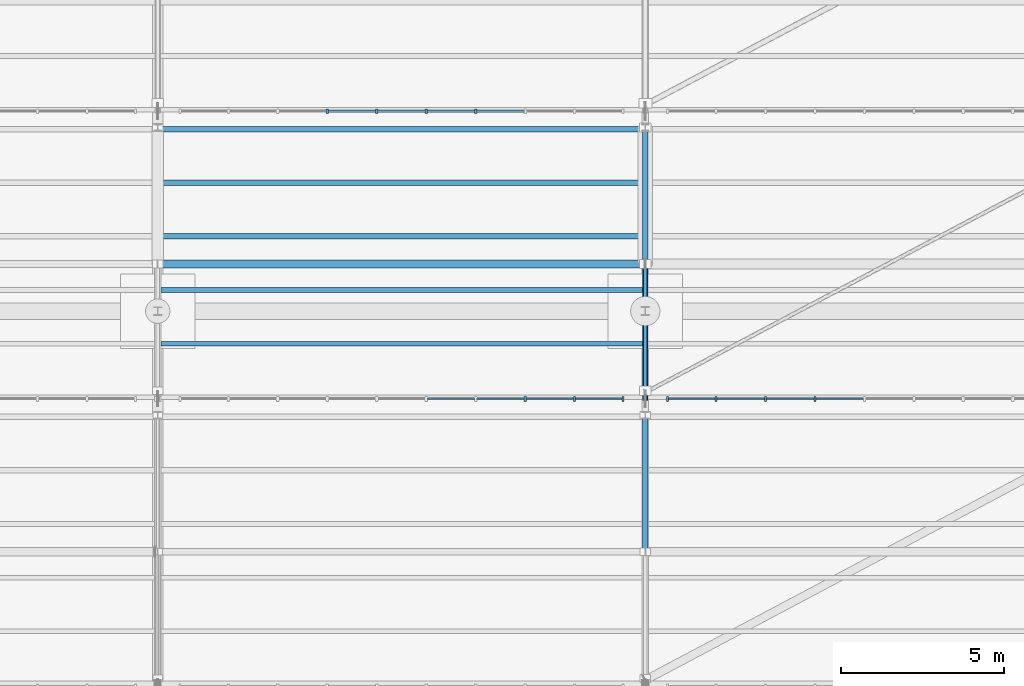
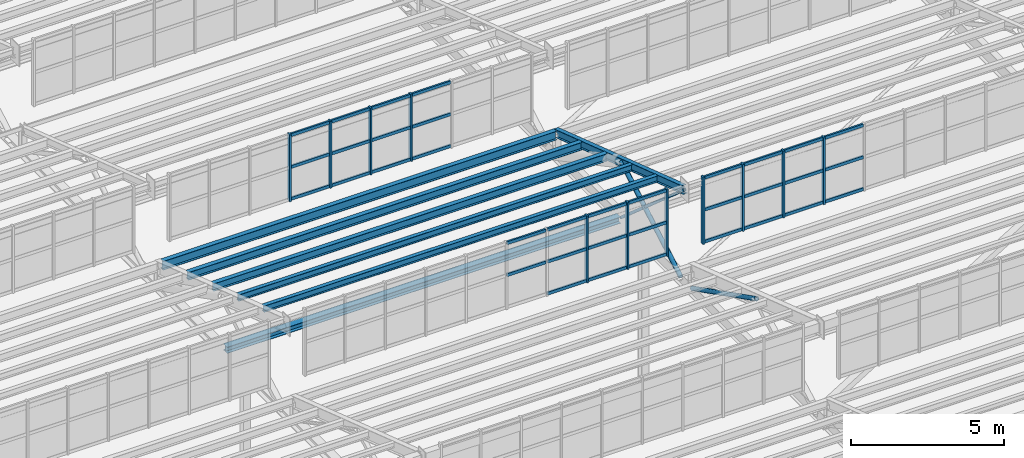
# One storey, part 82 of 285: 50 members, 6 beams, 3 elements without a shape of their own.
"""IFC4 building model written with IfcOpenShell, lengths in metres."""

from ifc_helpers import new_model, si_unit, direction, frame, origin, origin_2d, place, context, subcontext, project, spatial, rectangle, hollow_rectangle, hollow_circle, i_section, extrude, material, material_profile, profile_set, type_object, element, aggregate, save


model = new_model("IFC4")

# Units and contexts
model_context = context("Model", 3, precision=1e-05, world=origin(), true_north=direction((0.0, 1.0)))
body_context = subcontext(model_context, "Body", "Model", "MODEL_VIEW")
ifc_project = project(units=[si_unit("LENGTHUNIT", "METRE"), si_unit("AREAUNIT", "SQUARE_METRE"), si_unit("VOLUMEUNIT", "CUBIC_METRE"), si_unit("PLANEANGLEUNIT", "RADIAN"), si_unit("MASSUNIT", "GRAM", prefix="KILO")], contexts=[model_context])

# Site, building, storey
site_placement = place(None, origin())
site = spatial("IfcSite", under=ifc_project, at=site_placement, CompositionType="ELEMENT")
building_placement = place(site_placement, origin())
building = spatial("IfcBuilding", under=site, at=building_placement, Name="Solanera Park Tramway Depot", CompositionType="ELEMENT")
storey_placement = place(building_placement, origin())
storey = spatial("IfcBuildingStorey", under=building, at=storey_placement, Name="L00", CompositionType="ELEMENT", Elevation=0.0)

# Curtain wall, members
ifc_material_1 = material(Name="Bronze-anodised thermally broken aluminium curtain wall", Category="aluminium")
curtain_wall_type = type_object("IfcCurtainWallType", Name="Sawtooth Clerestory Monitor Curtain Wall", PredefinedType="NOTDEFINED", material=ifc_material_1)
curtain_wall_1_placement = place(storey_placement, origin())
curtain_wall_1 = element("IfcCurtainWall", 1, at=curtain_wall_1_placement, inside=storey, type_object=curtain_wall_type, Name="L00 Sawtooth Clerestory Monitor Curtain Wall #024", PredefinedType="NOTDEFINED")
ifc_material_2 = material(Name="Bronze-anodised structural aluminium 6063-T6", Category="aluminium")
ifc_material_profile_1 = material_profile(ifc_material_2, rectangle(XDim=0.06494140625, YDim=0.14990234375, at=origin_2d()), Name="Curtain Wall Mullion 65x150")
ifc_profile_set_1 = profile_set([ifc_material_profile_1], Name="Bronze-anodised structural aluminium 6063-T6")
member_type_1 = type_object("IfcMemberType", Name="Curtain Wall Mullion 65x150", PredefinedType="MULLION", material=ifc_profile_set_1)
member_1_placement = place(storey_placement, frame((86.3056640625, 82.300048828125, 7.75), z_axis=(0.0, 0.0, 1.0), x_axis=(1.0, 0.0, 0.0)))
member_1 = element("IfcMember", 2, at=member_1_placement, type_object=member_type_1, Name="CW-L00-024 Mullion 8", PredefinedType="MULLION", context=body_context, shape_type="SweptSolid", body=[
    extrude(rectangle(XDim=0.06494140625, YDim=0.14990234375, at=origin_2d()), origin(), (0.0, 0.0, 1.0), 2.6611328125),
])
member_2_placement = place(storey_placement, frame((87.827880859375, 82.300048828125, 7.75), z_axis=(0.0, 0.0, 1.0), x_axis=(1.0, 0.0, 0.0)))
member_2 = element("IfcMember", 3, at=member_2_placement, type_object=member_type_1, Name="CW-L00-024 Mullion 9", PredefinedType="MULLION", context=body_context, shape_type="SweptSolid", body=[
    extrude(rectangle(XDim=0.06494140625, YDim=0.14990234375, at=origin_2d()), origin(), (0.0, 0.0, 1.0), 2.6611328125),
])
member_3_placement = place(storey_placement, frame((89.3173828125, 82.300048828125, 7.75), z_axis=(0.0, 0.0, 1.0), x_axis=(1.0, 0.0, 0.0)))
member_3 = element("IfcMember", 4, at=member_3_placement, type_object=member_type_1, Name="CW-L00-024 Mullion 10", PredefinedType="MULLION", context=body_context, shape_type="SweptSolid", body=[
    extrude(rectangle(XDim=0.06494140625, YDim=0.14990234375, at=origin_2d()), origin(), (0.0, 0.0, 1.0), 2.6611328125),
])

curtain_wall_2_placement = place(storey_placement, origin())
curtain_wall_2 = element("IfcCurtainWall", 5, at=curtain_wall_2_placement, inside=storey, type_object=curtain_wall_type, Name="L00 Sawtooth Clerestory Monitor Curtain Wall #025", PredefinedType="NOTDEFINED")
member_4_placement = place(storey_placement, frame((90.6826171875, 82.300048828125, 7.75), z_axis=(0.0, 0.0, 1.0), x_axis=(1.0, 0.0, 0.0)))
member_4 = element("IfcMember", 6, at=member_4_placement, type_object=member_type_1, Name="CW-L00-025 Mullion 1", PredefinedType="MULLION", context=body_context, shape_type="SweptSolid", body=[
    extrude(rectangle(XDim=0.06494140625, YDim=0.14990234375, at=origin_2d()), origin(), (0.0, 0.0, 1.0), 2.6611328125),
])
member_5_placement = place(storey_placement, frame((92.172119140625, 82.300048828125, 7.75), z_axis=(0.0, 0.0, 1.0), x_axis=(1.0, 0.0, 0.0)))
member_5 = element("IfcMember", 7, at=member_5_placement, type_object=member_type_1, Name="CW-L00-025 Mullion 2", PredefinedType="MULLION", context=body_context, shape_type="SweptSolid", body=[
    extrude(rectangle(XDim=0.06494140625, YDim=0.14990234375, at=origin_2d()), origin(), (0.0, 0.0, 1.0), 2.6611328125),
])
member_6_placement = place(storey_placement, frame((93.6943359375, 82.300048828125, 7.75), z_axis=(0.0, 0.0, 1.0), x_axis=(1.0, 0.0, 0.0)))
member_6 = element("IfcMember", 8, at=member_6_placement, type_object=member_type_1, Name="CW-L00-025 Mullion 3", PredefinedType="MULLION", context=body_context, shape_type="SweptSolid", body=[
    extrude(rectangle(XDim=0.06494140625, YDim=0.14990234375, at=origin_2d()), origin(), (0.0, 0.0, 1.0), 2.6611328125),
])
member_7_placement = place(storey_placement, frame((95.216796875, 82.300048828125, 7.75), z_axis=(0.0, 0.0, 1.0), x_axis=(1.0, 0.0, 0.0)))
member_7 = element("IfcMember", 9, at=member_7_placement, type_object=member_type_1, Name="CW-L00-025 Mullion 4", PredefinedType="MULLION", context=body_context, shape_type="SweptSolid", body=[
    extrude(rectangle(XDim=0.06494140625, YDim=0.14990234375, at=origin_2d()), origin(), (0.0, 0.0, 1.0), 2.6611328125),
])

curtain_wall_3_placement = place(storey_placement, origin())
curtain_wall_3 = element("IfcCurtainWall", 10, at=curtain_wall_3_placement, inside=storey, type_object=curtain_wall_type, Name="L00 Sawtooth Clerestory Monitor Curtain Wall #032", PredefinedType="NOTDEFINED")
member_8_placement = place(storey_placement, frame((80.216796875, 91.14990234375, 7.75), z_axis=(0.0, 0.0, 1.0), x_axis=(1.0, 0.0, 0.0)))
member_8 = element("IfcMember", 11, at=member_8_placement, type_object=member_type_1, Name="CW-L00-032 Mullion 4", PredefinedType="MULLION", context=body_context, shape_type="SweptSolid", body=[
    extrude(rectangle(XDim=0.06494140625, YDim=0.14990234375, at=origin_2d()), origin(), (0.0, 0.0, 1.0), 2.6611328125),
])
member_9_placement = place(storey_placement, frame((81.739013671875, 91.14990234375, 7.75), z_axis=(0.0, 0.0, 1.0), x_axis=(1.0, 0.0, 0.0)))
member_9 = element("IfcMember", 12, at=member_9_placement, type_object=member_type_1, Name="CW-L00-032 Mullion 5", PredefinedType="MULLION", context=body_context, shape_type="SweptSolid", body=[
    extrude(rectangle(XDim=0.06494140625, YDim=0.14990234375, at=origin_2d()), origin(), (0.0, 0.0, 1.0), 2.6611328125),
])
member_10_placement = place(storey_placement, frame((83.260986328125, 91.14990234375, 7.75), z_axis=(0.0, 0.0, 1.0), x_axis=(1.0, 0.0, 0.0)))
member_10 = element("IfcMember", 13, at=member_10_placement, type_object=member_type_1, Name="CW-L00-032 Mullion 6", PredefinedType="MULLION", context=body_context, shape_type="SweptSolid", body=[
    extrude(rectangle(XDim=0.06494140625, YDim=0.14990234375, at=origin_2d()), origin(), (0.0, 0.0, 1.0), 2.6611328125),
])
member_11_placement = place(storey_placement, frame((84.783203125, 91.14990234375, 7.75), z_axis=(0.0, 0.0, 1.0), x_axis=(1.0, 0.0, 0.0)))
member_11 = element("IfcMember", 14, at=member_11_placement, type_object=member_type_1, Name="CW-L00-032 Mullion 7", PredefinedType="MULLION", context=body_context, shape_type="SweptSolid", body=[
    extrude(rectangle(XDim=0.06494140625, YDim=0.14990234375, at=origin_2d()), origin(), (0.0, 0.0, 1.0), 2.6611328125),
])

# Member
ifc_material_3 = material(Name="Bronze-anodised structural aluminium 6063-T6", Category="aluminium")
ifc_material_profile_2 = material_profile(ifc_material_3, rectangle(XDim=0.06494140625, YDim=0.1201171875, at=origin_2d()), Name="Curtain Wall Transom 65x120")
ifc_profile_set_2 = profile_set([ifc_material_profile_2], Name="Bronze-anodised structural aluminium 6063-T6")
member_type_2 = type_object("IfcMemberType", Name="Curtain Wall Transom 65x120", PredefinedType="USERDEFINED", material=ifc_profile_set_2)
member_12_placement = place(storey_placement, frame((84.811279296875, 82.300048828125, 7.81005859375), z_axis=(1.0, 0.0, 0.0), x_axis=(0.0, 1.0, 0.0)))
member_12 = element("IfcMember", 15, at=member_12_placement, type_object=member_type_2, Name="CW-L00-024 Transom R1.C7", ObjectType="TRANSOM", PredefinedType="USERDEFINED", context=body_context, shape_type="SweptSolid", body=[
    extrude(rectangle(XDim=0.06494140625, YDim=0.1201171875, at=origin_2d()), origin(), (0.0, 0.0, 1.0), 1.46630859375),
])

member_13_placement = place(storey_placement, frame((86.33349609375, 82.300048828125, 7.81005859375), z_axis=(1.0, 0.0, 0.0), x_axis=(0.0, 1.0, 0.0)))
member_13 = element("IfcMember", 16, at=member_13_placement, type_object=member_type_2, Name="CW-L00-024 Transom R1.C8", ObjectType="TRANSOM", PredefinedType="USERDEFINED", context=body_context, shape_type="SweptSolid", body=[
    extrude(rectangle(XDim=0.06494140625, YDim=0.1201171875, at=origin_2d()), origin(), (0.0, 0.0, 1.0), 1.46630859375),
])

member_14_placement = place(storey_placement, frame((87.855712890625, 82.300048828125, 7.81005859375), z_axis=(1.0, 0.0, 0.0), x_axis=(0.0, 1.0, 0.0)))
member_14 = element("IfcMember", 17, at=member_14_placement, type_object=member_type_2, Name="CW-L00-024 Transom R1.C9", ObjectType="TRANSOM", PredefinedType="USERDEFINED", context=body_context, shape_type="SweptSolid", body=[
    extrude(rectangle(XDim=0.06494140625, YDim=0.1201171875, at=origin_2d()), origin(), (0.0, 0.0, 1.0), 1.433837890625),
])

member_15_placement = place(storey_placement, frame((83.2890625, 82.300048828125, 9.08056640625), z_axis=(1.0, 0.0, 0.0), x_axis=(0.0, 1.0, 0.0)))
member_15 = element("IfcMember", 18, at=member_15_placement, type_object=member_type_2, Name="CW-L00-024 Transom R2.C6", ObjectType="TRANSOM", PredefinedType="USERDEFINED", context=body_context, shape_type="SweptSolid", body=[
    extrude(rectangle(XDim=0.06494140625, YDim=0.1201171875, at=origin_2d()), origin(), (0.0, 0.0, 1.0), 1.46630859375),
])

member_16_placement = place(storey_placement, frame((84.811279296875, 82.300048828125, 9.08056640625), z_axis=(1.0, 0.0, 0.0), x_axis=(0.0, 1.0, 0.0)))
member_16 = element("IfcMember", 19, at=member_16_placement, type_object=member_type_2, Name="CW-L00-024 Transom R2.C7", ObjectType="TRANSOM", PredefinedType="USERDEFINED", context=body_context, shape_type="SweptSolid", body=[
    extrude(rectangle(XDim=0.06494140625, YDim=0.1201171875, at=origin_2d()), origin(), (0.0, 0.0, 1.0), 1.46630859375),
])

member_17_placement = place(storey_placement, frame((86.33349609375, 82.300048828125, 9.08056640625), z_axis=(1.0, 0.0, 0.0), x_axis=(0.0, 1.0, 0.0)))
member_17 = element("IfcMember", 20, at=member_17_placement, type_object=member_type_2, Name="CW-L00-024 Transom R2.C8", ObjectType="TRANSOM", PredefinedType="USERDEFINED", context=body_context, shape_type="SweptSolid", body=[
    extrude(rectangle(XDim=0.06494140625, YDim=0.1201171875, at=origin_2d()), origin(), (0.0, 0.0, 1.0), 1.46630859375),
])

member_18_placement = place(storey_placement, frame((87.855712890625, 82.300048828125, 9.08056640625), z_axis=(1.0, 0.0, 0.0), x_axis=(0.0, 1.0, 0.0)))
member_18 = element("IfcMember", 21, at=member_18_placement, type_object=member_type_2, Name="CW-L00-024 Transom R2.C9", ObjectType="TRANSOM", PredefinedType="USERDEFINED", context=body_context, shape_type="SweptSolid", body=[
    extrude(rectangle(XDim=0.06494140625, YDim=0.1201171875, at=origin_2d()), origin(), (0.0, 0.0, 1.0), 1.433837890625),
])

member_19_placement = place(storey_placement, frame((83.2890625, 82.300048828125, 10.351318359375), z_axis=(1.0, 0.0, 0.0), x_axis=(0.0, 1.0, 0.0)))
member_19 = element("IfcMember", 22, at=member_19_placement, type_object=member_type_2, Name="CW-L00-024 Transom R3.C6", ObjectType="TRANSOM", PredefinedType="USERDEFINED", context=body_context, shape_type="SweptSolid", body=[
    extrude(rectangle(XDim=0.06494140625, YDim=0.1201171875, at=origin_2d()), origin(), (0.0, 0.0, 1.0), 1.46630859375),
])

member_20_placement = place(storey_placement, frame((84.811279296875, 82.300048828125, 10.351318359375), z_axis=(1.0, 0.0, 0.0), x_axis=(0.0, 1.0, 0.0)))
member_20 = element("IfcMember", 23, at=member_20_placement, type_object=member_type_2, Name="CW-L00-024 Transom R3.C7", ObjectType="TRANSOM", PredefinedType="USERDEFINED", context=body_context, shape_type="SweptSolid", body=[
    extrude(rectangle(XDim=0.06494140625, YDim=0.1201171875, at=origin_2d()), origin(), (0.0, 0.0, 1.0), 1.46630859375),
])

member_21_placement = place(storey_placement, frame((86.33349609375, 82.300048828125, 10.351318359375), z_axis=(1.0, 0.0, 0.0), x_axis=(0.0, 1.0, 0.0)))
member_21 = element("IfcMember", 24, at=member_21_placement, type_object=member_type_2, Name="CW-L00-024 Transom R3.C8", ObjectType="TRANSOM", PredefinedType="USERDEFINED", context=body_context, shape_type="SweptSolid", body=[
    extrude(rectangle(XDim=0.06494140625, YDim=0.1201171875, at=origin_2d()), origin(), (0.0, 0.0, 1.0), 1.46630859375),
])

member_22_placement = place(storey_placement, frame((87.855712890625, 82.300048828125, 10.351318359375), z_axis=(1.0, 0.0, 0.0), x_axis=(0.0, 1.0, 0.0)))
member_22 = element("IfcMember", 25, at=member_22_placement, type_object=member_type_2, Name="CW-L00-024 Transom R3.C9", ObjectType="TRANSOM", PredefinedType="USERDEFINED", context=body_context, shape_type="SweptSolid", body=[
    extrude(rectangle(XDim=0.06494140625, YDim=0.1201171875, at=origin_2d()), origin(), (0.0, 0.0, 1.0), 1.433837890625),
])

aggregate(curtain_wall_1, [member_1, member_2, member_3, member_12, member_13, member_14, member_15, member_16, member_17, member_18, member_19, member_20, member_21, member_22])

member_23_placement = place(storey_placement, frame((90.71044921875, 82.300048828125, 7.81005859375), z_axis=(1.0, 0.0, 0.0), x_axis=(0.0, 1.0, 0.0)))
member_23 = element("IfcMember", 26, at=member_23_placement, type_object=member_type_2, Name="CW-L00-025 Transom R1.C1", ObjectType="TRANSOM", PredefinedType="USERDEFINED", context=body_context, shape_type="SweptSolid", body=[
    extrude(rectangle(XDim=0.06494140625, YDim=0.1201171875, at=origin_2d()), origin(), (0.0, 0.0, 1.0), 1.433837890625),
])

member_24_placement = place(storey_placement, frame((92.2001953125, 82.300048828125, 7.81005859375), z_axis=(1.0, 0.0, 0.0), x_axis=(0.0, 1.0, 0.0)))
member_24 = element("IfcMember", 27, at=member_24_placement, type_object=member_type_2, Name="CW-L00-025 Transom R1.C2", ObjectType="TRANSOM", PredefinedType="USERDEFINED", context=body_context, shape_type="SweptSolid", body=[
    extrude(rectangle(XDim=0.06494140625, YDim=0.1201171875, at=origin_2d()), origin(), (0.0, 0.0, 1.0), 1.46630859375),
])

member_25_placement = place(storey_placement, frame((93.722412109375, 82.300048828125, 7.81005859375), z_axis=(1.0, 0.0, 0.0), x_axis=(0.0, 1.0, 0.0)))
member_25 = element("IfcMember", 28, at=member_25_placement, type_object=member_type_2, Name="CW-L00-025 Transom R1.C3", ObjectType="TRANSOM", PredefinedType="USERDEFINED", context=body_context, shape_type="SweptSolid", body=[
    extrude(rectangle(XDim=0.06494140625, YDim=0.1201171875, at=origin_2d()), origin(), (0.0, 0.0, 1.0), 1.46630859375),
])

member_26_placement = place(storey_placement, frame((95.24462890625, 82.300048828125, 7.81005859375), z_axis=(1.0, 0.0, 0.0), x_axis=(0.0, 1.0, 0.0)))
member_26 = element("IfcMember", 29, at=member_26_placement, type_object=member_type_2, Name="CW-L00-025 Transom R1.C4", ObjectType="TRANSOM", PredefinedType="USERDEFINED", context=body_context, shape_type="SweptSolid", body=[
    extrude(rectangle(XDim=0.06494140625, YDim=0.1201171875, at=origin_2d()), origin(), (0.0, 0.0, 1.0), 1.46630859375),
])

member_27_placement = place(storey_placement, frame((90.71044921875, 82.300048828125, 9.08056640625), z_axis=(1.0, 0.0, 0.0), x_axis=(0.0, 1.0, 0.0)))
member_27 = element("IfcMember", 30, at=member_27_placement, type_object=member_type_2, Name="CW-L00-025 Transom R2.C1", ObjectType="TRANSOM", PredefinedType="USERDEFINED", context=body_context, shape_type="SweptSolid", body=[
    extrude(rectangle(XDim=0.06494140625, YDim=0.1201171875, at=origin_2d()), origin(), (0.0, 0.0, 1.0), 1.433837890625),
])

member_28_placement = place(storey_placement, frame((92.2001953125, 82.300048828125, 9.08056640625), z_axis=(1.0, 0.0, 0.0), x_axis=(0.0, 1.0, 0.0)))
member_28 = element("IfcMember", 31, at=member_28_placement, type_object=member_type_2, Name="CW-L00-025 Transom R2.C2", ObjectType="TRANSOM", PredefinedType="USERDEFINED", context=body_context, shape_type="SweptSolid", body=[
    extrude(rectangle(XDim=0.06494140625, YDim=0.1201171875, at=origin_2d()), origin(), (0.0, 0.0, 1.0), 1.46630859375),
])

member_29_placement = place(storey_placement, frame((93.722412109375, 82.300048828125, 9.08056640625), z_axis=(1.0, 0.0, 0.0), x_axis=(0.0, 1.0, 0.0)))
member_29 = element("IfcMember", 32, at=member_29_placement, type_object=member_type_2, Name="CW-L00-025 Transom R2.C3", ObjectType="TRANSOM", PredefinedType="USERDEFINED", context=body_context, shape_type="SweptSolid", body=[
    extrude(rectangle(XDim=0.06494140625, YDim=0.1201171875, at=origin_2d()), origin(), (0.0, 0.0, 1.0), 1.46630859375),
])

member_30_placement = place(storey_placement, frame((95.24462890625, 82.300048828125, 9.08056640625), z_axis=(1.0, 0.0, 0.0), x_axis=(0.0, 1.0, 0.0)))
member_30 = element("IfcMember", 33, at=member_30_placement, type_object=member_type_2, Name="CW-L00-025 Transom R2.C4", ObjectType="TRANSOM", PredefinedType="USERDEFINED", context=body_context, shape_type="SweptSolid", body=[
    extrude(rectangle(XDim=0.06494140625, YDim=0.1201171875, at=origin_2d()), origin(), (0.0, 0.0, 1.0), 1.46630859375),
])

member_31_placement = place(storey_placement, frame((90.71044921875, 82.300048828125, 10.351318359375), z_axis=(1.0, 0.0, 0.0), x_axis=(0.0, 1.0, 0.0)))
member_31 = element("IfcMember", 34, at=member_31_placement, type_object=member_type_2, Name="CW-L00-025 Transom R3.C1", ObjectType="TRANSOM", PredefinedType="USERDEFINED", context=body_context, shape_type="SweptSolid", body=[
    extrude(rectangle(XDim=0.06494140625, YDim=0.1201171875, at=origin_2d()), origin(), (0.0, 0.0, 1.0), 1.433837890625),
])

member_32_placement = place(storey_placement, frame((92.2001953125, 82.300048828125, 10.351318359375), z_axis=(1.0, 0.0, 0.0), x_axis=(0.0, 1.0, 0.0)))
member_32 = element("IfcMember", 35, at=member_32_placement, type_object=member_type_2, Name="CW-L00-025 Transom R3.C2", ObjectType="TRANSOM", PredefinedType="USERDEFINED", context=body_context, shape_type="SweptSolid", body=[
    extrude(rectangle(XDim=0.06494140625, YDim=0.1201171875, at=origin_2d()), origin(), (0.0, 0.0, 1.0), 1.46630859375),
])

member_33_placement = place(storey_placement, frame((93.722412109375, 82.300048828125, 10.351318359375), z_axis=(1.0, 0.0, 0.0), x_axis=(0.0, 1.0, 0.0)))
member_33 = element("IfcMember", 36, at=member_33_placement, type_object=member_type_2, Name="CW-L00-025 Transom R3.C3", ObjectType="TRANSOM", PredefinedType="USERDEFINED", context=body_context, shape_type="SweptSolid", body=[
    extrude(rectangle(XDim=0.06494140625, YDim=0.1201171875, at=origin_2d()), origin(), (0.0, 0.0, 1.0), 1.46630859375),
])

member_34_placement = place(storey_placement, frame((95.24462890625, 82.300048828125, 10.351318359375), z_axis=(1.0, 0.0, 0.0), x_axis=(0.0, 1.0, 0.0)))
member_34 = element("IfcMember", 37, at=member_34_placement, type_object=member_type_2, Name="CW-L00-025 Transom R3.C4", ObjectType="TRANSOM", PredefinedType="USERDEFINED", context=body_context, shape_type="SweptSolid", body=[
    extrude(rectangle(XDim=0.06494140625, YDim=0.1201171875, at=origin_2d()), origin(), (0.0, 0.0, 1.0), 1.46630859375),
])

aggregate(curtain_wall_2, [member_4, member_5, member_6, member_7, member_23, member_24, member_25, member_26, member_27, member_28, member_29, member_30, member_31, member_32, member_33, member_34])

member_35_placement = place(storey_placement, frame((80.24462890625, 91.14990234375, 7.81005859375), z_axis=(1.0, 0.0, 0.0), x_axis=(0.0, 1.0, 0.0)))
member_35 = element("IfcMember", 38, at=member_35_placement, type_object=member_type_2, Name="CW-L00-032 Transom R1.C4", ObjectType="TRANSOM", PredefinedType="USERDEFINED", context=body_context, shape_type="SweptSolid", body=[
    extrude(rectangle(XDim=0.06494140625, YDim=0.1201171875, at=origin_2d()), origin(), (0.0, 0.0, 1.0), 1.46630859375),
])

member_36_placement = place(storey_placement, frame((81.766845703125, 91.14990234375, 7.81005859375), z_axis=(1.0, 0.0, 0.0), x_axis=(0.0, 1.0, 0.0)))
member_36 = element("IfcMember", 39, at=member_36_placement, type_object=member_type_2, Name="CW-L00-032 Transom R1.C5", ObjectType="TRANSOM", PredefinedType="USERDEFINED", context=body_context, shape_type="SweptSolid", body=[
    extrude(rectangle(XDim=0.06494140625, YDim=0.1201171875, at=origin_2d()), origin(), (0.0, 0.0, 1.0), 1.46630859375),
])

member_37_placement = place(storey_placement, frame((83.2890625, 91.14990234375, 7.81005859375), z_axis=(1.0, 0.0, 0.0), x_axis=(0.0, 1.0, 0.0)))
member_37 = element("IfcMember", 40, at=member_37_placement, type_object=member_type_2, Name="CW-L00-032 Transom R1.C6", ObjectType="TRANSOM", PredefinedType="USERDEFINED", context=body_context, shape_type="SweptSolid", body=[
    extrude(rectangle(XDim=0.06494140625, YDim=0.1201171875, at=origin_2d()), origin(), (0.0, 0.0, 1.0), 1.46630859375),
])

member_38_placement = place(storey_placement, frame((84.811279296875, 91.14990234375, 7.81005859375), z_axis=(1.0, 0.0, 0.0), x_axis=(0.0, 1.0, 0.0)))
member_38 = element("IfcMember", 41, at=member_38_placement, type_object=member_type_2, Name="CW-L00-032 Transom R1.C7", ObjectType="TRANSOM", PredefinedType="USERDEFINED", context=body_context, shape_type="SweptSolid", body=[
    extrude(rectangle(XDim=0.06494140625, YDim=0.1201171875, at=origin_2d()), origin(), (0.0, 0.0, 1.0), 1.46630859375),
])

member_39_placement = place(storey_placement, frame((80.24462890625, 91.14990234375, 9.08056640625), z_axis=(1.0, 0.0, 0.0), x_axis=(0.0, 1.0, 0.0)))
member_39 = element("IfcMember", 42, at=member_39_placement, type_object=member_type_2, Name="CW-L00-032 Transom R2.C4", ObjectType="TRANSOM", PredefinedType="USERDEFINED", context=body_context, shape_type="SweptSolid", body=[
    extrude(rectangle(XDim=0.06494140625, YDim=0.1201171875, at=origin_2d()), origin(), (0.0, 0.0, 1.0), 1.46630859375),
])

member_40_placement = place(storey_placement, frame((81.766845703125, 91.14990234375, 9.08056640625), z_axis=(1.0, 0.0, 0.0), x_axis=(0.0, 1.0, 0.0)))
member_40 = element("IfcMember", 43, at=member_40_placement, type_object=member_type_2, Name="CW-L00-032 Transom R2.C5", ObjectType="TRANSOM", PredefinedType="USERDEFINED", context=body_context, shape_type="SweptSolid", body=[
    extrude(rectangle(XDim=0.06494140625, YDim=0.1201171875, at=origin_2d()), origin(), (0.0, 0.0, 1.0), 1.46630859375),
])

member_41_placement = place(storey_placement, frame((83.2890625, 91.14990234375, 9.08056640625), z_axis=(1.0, 0.0, 0.0), x_axis=(0.0, 1.0, 0.0)))
member_41 = element("IfcMember", 44, at=member_41_placement, type_object=member_type_2, Name="CW-L00-032 Transom R2.C6", ObjectType="TRANSOM", PredefinedType="USERDEFINED", context=body_context, shape_type="SweptSolid", body=[
    extrude(rectangle(XDim=0.06494140625, YDim=0.1201171875, at=origin_2d()), origin(), (0.0, 0.0, 1.0), 1.46630859375),
])

member_42_placement = place(storey_placement, frame((84.811279296875, 91.14990234375, 9.08056640625), z_axis=(1.0, 0.0, 0.0), x_axis=(0.0, 1.0, 0.0)))
member_42 = element("IfcMember", 45, at=member_42_placement, type_object=member_type_2, Name="CW-L00-032 Transom R2.C7", ObjectType="TRANSOM", PredefinedType="USERDEFINED", context=body_context, shape_type="SweptSolid", body=[
    extrude(rectangle(XDim=0.06494140625, YDim=0.1201171875, at=origin_2d()), origin(), (0.0, 0.0, 1.0), 1.46630859375),
])

member_43_placement = place(storey_placement, frame((80.24462890625, 91.14990234375, 10.351318359375), z_axis=(1.0, 0.0, 0.0), x_axis=(0.0, 1.0, 0.0)))
member_43 = element("IfcMember", 46, at=member_43_placement, type_object=member_type_2, Name="CW-L00-032 Transom R3.C4", ObjectType="TRANSOM", PredefinedType="USERDEFINED", context=body_context, shape_type="SweptSolid", body=[
    extrude(rectangle(XDim=0.06494140625, YDim=0.1201171875, at=origin_2d()), origin(), (0.0, 0.0, 1.0), 1.46630859375),
])

member_44_placement = place(storey_placement, frame((81.766845703125, 91.14990234375, 10.351318359375), z_axis=(1.0, 0.0, 0.0), x_axis=(0.0, 1.0, 0.0)))
member_44 = element("IfcMember", 47, at=member_44_placement, type_object=member_type_2, Name="CW-L00-032 Transom R3.C5", ObjectType="TRANSOM", PredefinedType="USERDEFINED", context=body_context, shape_type="SweptSolid", body=[
    extrude(rectangle(XDim=0.06494140625, YDim=0.1201171875, at=origin_2d()), origin(), (0.0, 0.0, 1.0), 1.46630859375),
])

member_45_placement = place(storey_placement, frame((83.2890625, 91.14990234375, 10.351318359375), z_axis=(1.0, 0.0, 0.0), x_axis=(0.0, 1.0, 0.0)))
member_45 = element("IfcMember", 48, at=member_45_placement, type_object=member_type_2, Name="CW-L00-032 Transom R3.C6", ObjectType="TRANSOM", PredefinedType="USERDEFINED", context=body_context, shape_type="SweptSolid", body=[
    extrude(rectangle(XDim=0.06494140625, YDim=0.1201171875, at=origin_2d()), origin(), (0.0, 0.0, 1.0), 1.46630859375),
])

member_46_placement = place(storey_placement, frame((84.811279296875, 91.14990234375, 10.351318359375), z_axis=(1.0, 0.0, 0.0), x_axis=(0.0, 1.0, 0.0)))
member_46 = element("IfcMember", 49, at=member_46_placement, type_object=member_type_2, Name="CW-L00-032 Transom R3.C7", ObjectType="TRANSOM", PredefinedType="USERDEFINED", context=body_context, shape_type="SweptSolid", body=[
    extrude(rectangle(XDim=0.06494140625, YDim=0.1201171875, at=origin_2d()), origin(), (0.0, 0.0, 1.0), 1.46630859375),
])

aggregate(curtain_wall_3, [member_8, member_9, member_10, member_11, member_35, member_36, member_37, member_38, member_39, member_40, member_41, member_42, member_43, member_44, member_45, member_46])

# Members
ifc_material_4 = material(Name="Steel AS/NZS 1163 Grade C350L0", Category="steel")
ifc_material_profile_3 = material_profile(ifc_material_4, hollow_circle(Radius=0.084228515625, WallThickness=0.00634765625, at=origin_2d()), Name="168.3x6.4 CHS")
ifc_profile_set_3 = profile_set([ifc_material_profile_3], Name="Steel AS/NZS 1163 Grade C350L0")
member_type_3 = type_object("IfcMemberType", Name="Roof Gantry Compression Strut 168.3x6.4 CHS", PredefinedType="STRUT", material=ifc_profile_set_3)
member_47_placement = place(storey_placement, frame((90.0, 82.550048828125, 6.5), z_axis=(0.0, 0.866884023838, 0.498509868723), x_axis=(-1.0, 0.0, 0.0)))
element("IfcMember", 50, at=member_47_placement, inside=storey, type_object=member_type_3, Name="Sawtooth ROOF TRUSS Strut 168.3x6.4 CHS #0152", PredefinedType="STRUT", context=body_context, shape_type="SweptSolid", body=[
    extrude(hollow_circle(Radius=0.084228515625, WallThickness=0.00634765625, at=origin_2d()), origin(), (0.0, 0.0, 1.0), 4.498779296875),
])
ifc_material_5 = material(Name="Steel AS/NZS 3679.1 Grade 350", Category="steel")
ifc_material_profile_4 = material_profile(ifc_material_5, i_section(OverallWidth=0.25390625, OverallDepth=0.25390625, WebThickness=0.008544921875, FlangeThickness=0.01416015625, at=origin_2d()), Name="250UC72.9")
ifc_profile_set_4 = profile_set([ifc_material_profile_4], Name="Steel AS/NZS 3679.1 Grade 350")
member_type_4 = type_object("IfcMemberType", Name="Secondary Truss Chord 250UC72.9", PredefinedType="CHORD", material=ifc_profile_set_4)
member_48_placement = place(storey_placement, frame((75.087890625, 86.449951171875, 6.5), z_axis=(1.0, 0.0, 0.0), x_axis=(0.0, 1.0, 0.0)))
element("IfcMember", 51, at=member_48_placement, inside=storey, type_object=member_type_4, Name="Sawtooth Longitudinal Tie Chord 250UC72.9 #0172", PredefinedType="CHORD", context=body_context, shape_type="SweptSolid", body=[
    extrude(i_section(OverallWidth=0.25390625, OverallDepth=0.25390625, WebThickness=0.008544921875, FlangeThickness=0.01416015625, at=origin_2d()), origin(), (0.0, 0.0, 1.0), 14.82421875),
])

# Beams
ifc_material_6 = material(Name="Steel AS/NZS 3679.1 Grade 350", Category="steel")
ifc_material_profile_5 = material_profile(ifc_material_6, i_section(OverallWidth=0.166015625, OverallDepth=0.30712890625, WebThickness=0.006591796875, FlangeThickness=0.01171875, at=origin_2d()), Name="310UB46.2")
ifc_profile_set_5 = profile_set([ifc_material_profile_5], Name="Steel AS/NZS 3679.1 Grade 350")
beam_type_1 = type_object("IfcBeamType", Name="Steel Beam 310UB46.2", PredefinedType="BEAM", material=ifc_profile_set_5)
beam_1_placement = place(storey_placement, frame((90.0, 82.300048828125, 10.131103515625), z_axis=(0.0, 0.948327781215, -0.317292324799), x_axis=(-1.0, 0.0, 0.0)))
element("IfcBeam", 52, at=beam_1_placement, inside=storey, type_object=beam_type_1, Name="Sawtooth ROOF TRUSS Top Rafter 310UB46.2 B04-T7", PredefinedType="BEAM", context=body_context, shape_type="SweptSolid", body=[
    extrude(i_section(OverallWidth=0.166015625, OverallDepth=0.30712890625, WebThickness=0.006591796875, FlangeThickness=0.01171875, at=origin_2d()), origin(), (0.0, 0.0, 1.0), 8.804931640625),
])
ifc_material_7 = material(Name="Steel AS/NZS 3679.1 Grade 350", Category="steel")
ifc_material_profile_6 = material_profile(ifc_material_7, i_section(OverallWidth=0.14599609375, OverallDepth=0.251708984375, WebThickness=0.006103515625, FlangeThickness=0.008544921875, at=origin_2d()), Name="250UB31.4")
ifc_profile_set_6 = profile_set([ifc_material_profile_6], Name="Steel AS/NZS 3679.1 Grade 350")
beam_type_2 = type_object("IfcBeamType", Name="Steel Joist Purlin 250UB31.4", PredefinedType="JOIST", material=ifc_profile_set_6)
beam_2_placement = place(storey_placement, frame((75.0966796875, 84.0, 9.587890625), z_axis=(1.0, 0.0, 0.0), x_axis=(0.0, 1.0, 0.0)))
element("IfcBeam", 53, at=beam_2_placement, inside=storey, type_object=beam_type_2, Name="Sawtooth Roof Purlin 250UB31.4 B04.2", PredefinedType="JOIST", context=body_context, shape_type="SweptSolid", body=[
    extrude(i_section(OverallWidth=0.14599609375, OverallDepth=0.251708984375, WebThickness=0.006103515625, FlangeThickness=0.008544921875, at=origin_2d()), origin(), (0.0, 0.0, 1.0), 14.828369140625),
])
ifc_material_8 = material(Name="Steel AS/NZS 3679.1 Grade 350", Category="steel")
ifc_material_profile_7 = material_profile(ifc_material_8, i_section(OverallWidth=0.146484375, OverallDepth=0.256103515625, WebThickness=0.00634765625, FlangeThickness=0.010986328125, at=origin_2d()), Name="250UB37.3")
ifc_profile_set_7 = profile_set([ifc_material_profile_7], Name="Steel AS/NZS 3679.1 Grade 350")
beam_type_3 = type_object("IfcBeamType", Name="Steel Joist Purlin 250UB37.3", PredefinedType="JOIST", material=ifc_profile_set_7)
beam_3_placement = place(storey_placement, frame((75.0966796875, 85.64990234375, 9.033203125), z_axis=(1.0, 0.0, 0.0), x_axis=(0.0, 1.0, 0.0)))
element("IfcBeam", 54, at=beam_3_placement, inside=storey, type_object=beam_type_3, Name="Sawtooth Roof Purlin 250UB37.3 B04.3", PredefinedType="JOIST", context=body_context, shape_type="SweptSolid", body=[
    extrude(i_section(OverallWidth=0.146484375, OverallDepth=0.256103515625, WebThickness=0.00634765625, FlangeThickness=0.010986328125, at=origin_2d()), origin(), (0.0, 0.0, 1.0), 14.828369140625),
])
ifc_material_9 = material(Name="Steel AS/NZS 3679.1 Grade 350", Category="steel")
ifc_material_profile_8 = material_profile(ifc_material_9, i_section(OverallWidth=0.1650390625, OverallDepth=0.3037109375, WebThickness=0.006103515625, FlangeThickness=0.01025390625, at=origin_2d()), Name="310UB40.4")
ifc_profile_set_8 = profile_set([ifc_material_profile_8], Name="Steel AS/NZS 3679.1 Grade 350")
beam_type_4 = type_object("IfcBeamType", Name="Steel Joist Purlin 310UB40.4", PredefinedType="JOIST", material=ifc_profile_set_8)
beam_4_placement = place(storey_placement, frame((75.0966796875, 87.300048828125, 8.454345703125), z_axis=(1.0, 0.0, 0.0), x_axis=(0.0, 1.0, 0.0)))
element("IfcBeam", 55, at=beam_4_placement, inside=storey, type_object=beam_type_4, Name="Sawtooth Roof Purlin 310UB40.4 B04.4", PredefinedType="JOIST", context=body_context, shape_type="SweptSolid", body=[
    extrude(i_section(OverallWidth=0.1650390625, OverallDepth=0.3037109375, WebThickness=0.006103515625, FlangeThickness=0.01025390625, at=origin_2d()), origin(), (0.0, 0.0, 1.0), 14.828369140625),
])
ifc_material_10 = material(Name="Steel AS/NZS 3679.1 Grade 350", Category="steel")
ifc_material_profile_9 = material_profile(ifc_material_10, i_section(OverallWidth=0.166015625, OverallDepth=0.30712890625, WebThickness=0.006591796875, FlangeThickness=0.01171875, at=origin_2d()), Name="310UB46.2")
ifc_profile_set_9 = profile_set([ifc_material_profile_9], Name="Steel AS/NZS 3679.1 Grade 350")
beam_type_5 = type_object("IfcBeamType", Name="Steel Joist Purlin 310UB46.2", PredefinedType="JOIST", material=ifc_profile_set_9)
beam_5_placement = place(storey_placement, frame((75.0966796875, 88.949951171875, 7.900390625), z_axis=(1.0, 0.0, 0.0), x_axis=(0.0, 1.0, 0.0)))
element("IfcBeam", 56, at=beam_5_placement, inside=storey, type_object=beam_type_5, Name="Sawtooth Roof Purlin 310UB46.2 B04.5", PredefinedType="JOIST", context=body_context, shape_type="SweptSolid", body=[
    extrude(i_section(OverallWidth=0.166015625, OverallDepth=0.30712890625, WebThickness=0.006591796875, FlangeThickness=0.01171875, at=origin_2d()), origin(), (0.0, 0.0, 1.0), 14.828369140625),
])
ifc_material_11 = material(Name="Steel AS/NZS 3679.1 Grade 350", Category="steel")
ifc_material_profile_10 = material_profile(ifc_material_11, i_section(OverallWidth=0.17138671875, OverallDepth=0.355712890625, WebThickness=0.00732421875, FlangeThickness=0.011474609375, at=origin_2d()), Name="360UB50.7")
ifc_profile_set_10 = profile_set([ifc_material_profile_10], Name="Steel AS/NZS 3679.1 Grade 350")
beam_type_6 = type_object("IfcBeamType", Name="Steel Joist Purlin 360UB50.7", PredefinedType="JOIST", material=ifc_profile_set_10)
beam_6_placement = place(storey_placement, frame((75.0966796875, 90.60009765625, 7.3232421875), z_axis=(1.0, 0.0, 0.0), x_axis=(0.0, 1.0, 0.0)))
element("IfcBeam", 57, at=beam_6_placement, inside=storey, type_object=beam_type_6, Name="Sawtooth Roof Purlin 360UB50.7 B04.6", PredefinedType="JOIST", context=body_context, shape_type="SweptSolid", body=[
    extrude(i_section(OverallWidth=0.17138671875, OverallDepth=0.355712890625, WebThickness=0.00732421875, FlangeThickness=0.011474609375, at=origin_2d()), origin(), (0.0, 0.0, 1.0), 14.828369140625),
])

# Members
ifc_material_12 = material(Name="Steel AS/NZS 1163 Grade C350L0", Category="steel")
ifc_material_profile_11 = material_profile(ifc_material_12, hollow_rectangle(XDim=0.10009765625, YDim=0.10009765625, WallThickness=0.0048828125, at=origin_2d()), Name="100x100x5.0 SHS")
ifc_profile_set_11 = profile_set([ifc_material_profile_11], Name="Steel AS/NZS 1163 Grade C350L0")
member_type_5 = type_object("IfcMemberType", Name="Truss and Frame Brace 100x100x5.0 SHS", PredefinedType="BRACE", material=ifc_profile_set_11)
member_49_placement = place(storey_placement, frame((90.0, 86.449951171875, 6.5), z_axis=(0.0, -0.752582180048, 0.658498338855), x_axis=(1.0, 0.0, 0.0)))
element("IfcMember", 58, at=member_49_placement, inside=storey, type_object=member_type_5, Name="Sawtooth ROOF TRUSS Web Brace 100x100x5.0 SHS #0150", PredefinedType="BRACE", context=body_context, shape_type="SweptSolid", body=[
    extrude(hollow_rectangle(XDim=0.10009765625, YDim=0.10009765625, WallThickness=0.0048828125, at=origin_2d()), origin(), (0.0, 0.0, 1.0), 5.51416015625),
])
ifc_material_13 = material(Name="Steel AS/NZS 1163 Grade C350L0", Category="steel")
ifc_material_profile_12 = material_profile(ifc_material_13, hollow_circle(Radius=0.084228515625, WallThickness=0.00634765625, at=origin_2d()), Name="168.3x6.4 CHS")
ifc_profile_set_12 = profile_set([ifc_material_profile_12], Name="Steel AS/NZS 1163 Grade C350L0")
member_type_6 = type_object("IfcMemberType", Name="Truss and Frame Brace 168.3x6.4 CHS", PredefinedType="BRACE", material=ifc_profile_set_12)
member_50_placement = place(storey_placement, frame((90.0, 81.800048828125, 6.5), z_axis=(0.0, -0.891893316909, 0.452245852665), x_axis=(1.0, 0.0, 0.0)))
element("IfcMember", 59, at=member_50_placement, inside=storey, type_object=member_type_6, Name="Sawtooth ROOF TRUSS Diagonal 168.3x6.4 CHS #0104", PredefinedType="BRACE", context=body_context, shape_type="SweptSolid", body=[
    extrude(hollow_circle(Radius=0.084228515625, WallThickness=0.00634765625, at=origin_2d()), origin(), (0.0, 0.0, 1.0), 4.708984375),
])

save(model, "model.ifc")
